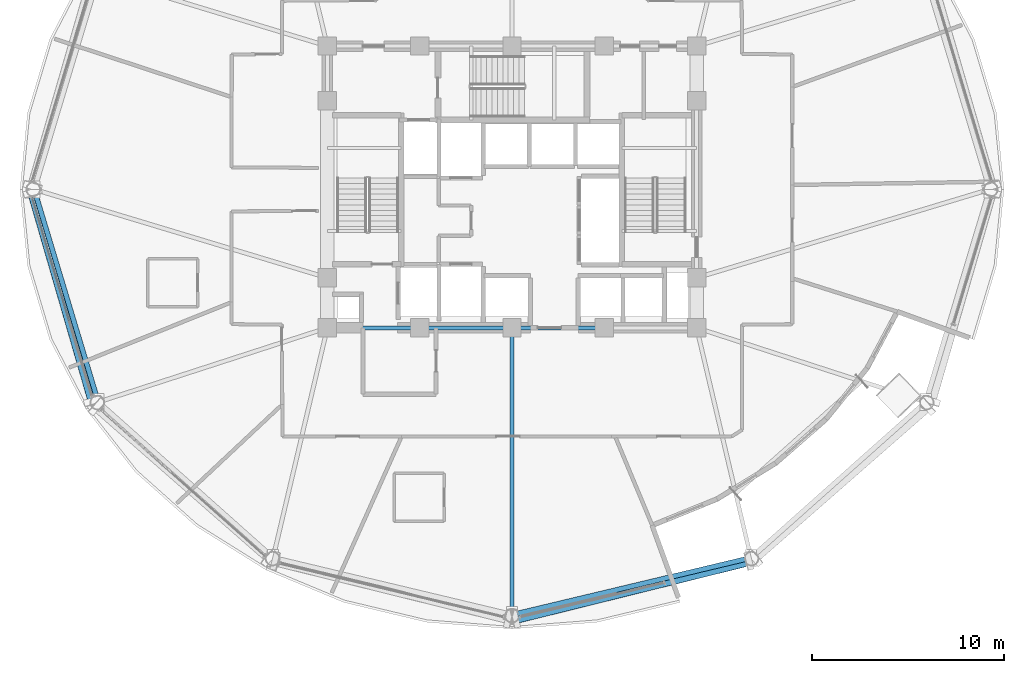
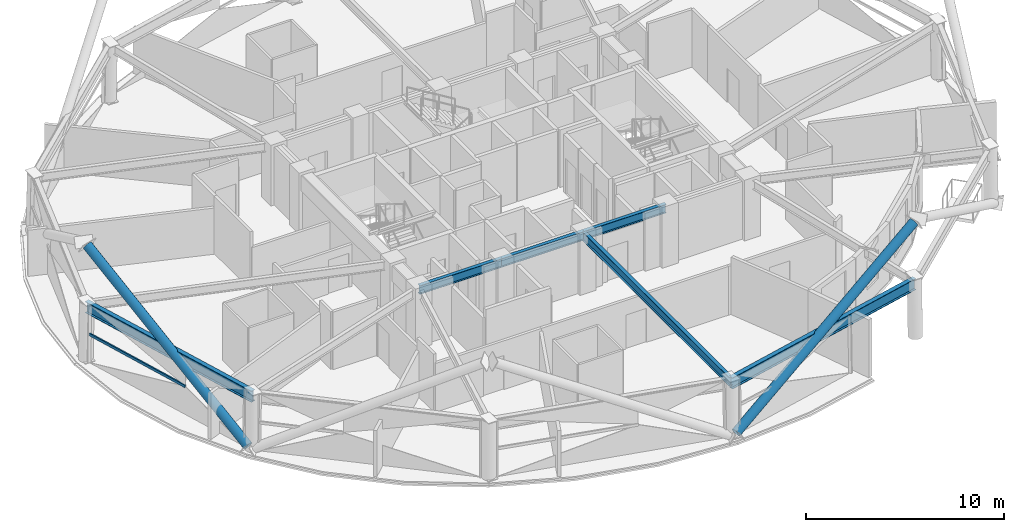
# One storey, part 3 of 17: 6 beams, 3 members, 1 element without a shape of its own.
"""IFC4 building model written with IfcOpenShell, lengths in metres."""

from ifc_helpers import new_model, si_unit, direction, frame, origin, origin_2d, place, context, subcontext, project, spatial, hollow_rectangle, hollow_circle, i_section, extrude, material, layer, layer_set, material_profile, profile_set, type_object, element, aggregate, save


model = new_model("IFC4")

# Units and contexts
model_context = context("Model", 3, precision=1e-05, world=origin(), true_north=direction((0.0, 1.0)))
body_context = subcontext(model_context, "Body", "Model", "MODEL_VIEW")
ifc_project = project(units=[si_unit("LENGTHUNIT", "METRE"), si_unit("AREAUNIT", "SQUARE_METRE"), si_unit("VOLUMEUNIT", "CUBIC_METRE"), si_unit("PLANEANGLEUNIT", "RADIAN"), si_unit("MASSUNIT", "GRAM", prefix="KILO")], contexts=[model_context])

# Site, building, storey
site_placement = place(None, origin())
site = spatial("IfcSite", under=ifc_project, at=site_placement, CompositionType="ELEMENT")
building_placement = place(site_placement, origin())
building = spatial("IfcBuilding", under=site, at=building_placement, Name="Vantalir Tower", CompositionType="ELEMENT")
storey_placement = place(building_placement, frame((0.0, 0.0, 142.199951171875)))
storey = spatial("IfcBuildingStorey", under=building, at=storey_placement, Name="L35", CompositionType="ELEMENT", Elevation=142.199951171875)

# Beams
ifc_material_1 = material(Name="Steel S355", Category="steel")
ifc_material_profile_1 = material_profile(ifc_material_1, i_section(OverallWidth=0.2109375, OverallDepth=0.5390625, WebThickness=0.01171875, FlangeThickness=0.018798828125, at=origin_2d()), Name="Steel S355")
ifc_profile_set_1 = profile_set([ifc_material_profile_1], Name="Steel S355")
beam_type_1 = type_object("IfcBeamType", Name="BM-RB-533x210", PredefinedType="BEAM", material=ifc_profile_set_1)
for number, where, z_axis, x_axis, name in (
    (1, (21.89990234375, 17.800048828125, 3.301025390625), (1.0, 0.0, 0.0), (0.0, 1.0, 0.0), "L35 Core Coupling Girder 01"),
    (2, (26.699951171875, 17.800048828125, 3.301025390625), (1.0, 0.0, 0.0), (0.0, 1.0, 0.0), "L35 Core Coupling Girder 02"),
    (3, (31.5, 17.800048828125, 3.301025390625), (1.0, 0.0, 0.0), (0.0, 1.0, 0.0), "L35 Core Coupling Girder 03"),
):
    element("IfcBeam", number, at=place(storey_placement, frame(where, z_axis=z_axis, x_axis=x_axis)), inside=storey, type_object=beam_type_1, Name=name, PredefinedType="BEAM", context=body_context, shape_type="SweptSolid", body=[
        extrude(i_section(OverallWidth=0.2109375, OverallDepth=0.5390625, WebThickness=0.01171875, FlangeThickness=0.018798828125, at=origin_2d()), origin(), (0.0, 0.0, 1.0), 4.800048828125),
    ])
beam_1_placement = place(storey_placement, frame((31.5, 2.8759765625, 3.301025390625), z_axis=(0.0, 1.0, 0.0), x_axis=(-1.0, 0.0, 0.0)))
element("IfcBeam", 4, at=beam_1_placement, inside=storey, type_object=beam_type_1, Name="L35 Radial Floor Beam 10", PredefinedType="BEAM", context=body_context, shape_type="SweptSolid", body=[
    extrude(i_section(OverallWidth=0.2109375, OverallDepth=0.5390625, WebThickness=0.01171875, FlangeThickness=0.018798828125, at=origin_2d()), origin(), (0.0, 0.0, 1.0), 14.924072265625),
])
ifc_material_2 = material(Name="Steel S460", Category="steel")
ifc_material_profile_2 = material_profile(ifc_material_2, i_section(OverallWidth=0.256103515625, OverallDepth=0.693115234375, WebThickness=0.014404296875, FlangeThickness=0.023681640625, at=origin_2d()), Name="Steel S460")
ifc_profile_set_2 = profile_set([ifc_material_profile_2], Name="Steel S460")
beam_type_2 = type_object("IfcBeamType", Name="BM-RG-686x254", PredefinedType="USERDEFINED", material=ifc_profile_set_2)
beam_2_placement = place(storey_placement, frame((6.655029296875, 25.0, 3.22412109375), z_axis=(0.288162119412, -0.957581637739, 0.0), x_axis=(0.957581637739, 0.288162119412, 0.0)))
element("IfcBeam", 5, at=beam_2_placement, inside=storey, type_object=beam_type_2, Name="L35 Circumferential Ring Girder 07", ObjectType="GIRDER", PredefinedType="USERDEFINED", context=body_context, shape_type="SweptSolid", body=[
    extrude(i_section(OverallWidth=0.256103515625, OverallDepth=0.693115234375, WebThickness=0.014404296875, FlangeThickness=0.023681640625, at=origin_2d()), origin(), (0.0, 0.0, 1.0), 11.552001953125),
])
beam_3_placement = place(storey_placement, frame((31.5, 2.8759765625, 3.22412109375), z_axis=(0.972696170028, 0.232082228561, 0.0), x_axis=(-0.232082228561, 0.972696170028, 0.0)))
element("IfcBeam", 6, at=beam_3_placement, inside=storey, type_object=beam_type_2, Name="L35 Circumferential Ring Girder 10", ObjectType="GIRDER", PredefinedType="USERDEFINED", context=body_context, shape_type="SweptSolid", body=[
    extrude(i_section(OverallWidth=0.256103515625, OverallDepth=0.693115234375, WebThickness=0.014404296875, FlangeThickness=0.023681640625, at=origin_2d()), origin(), (0.0, 0.0, 1.0), 12.771728515625),
])

# Curtain wall, member
ifc_material_3 = material(Name="Champagne-silver PVDF aluminium and double-silver Low-E glass", Category="aluminium")
ifc_layer = layer(ifc_material_3, 0.199951171875)
ifc_layer_set = layer_set([ifc_layer], Name="Champagne-silver PVDF aluminium and double-silver Low-E glass")
curtain_wall_type = type_object("IfcCurtainWallType", Name="CW-DIAMOND-Z2", PredefinedType="USERDEFINED", material=ifc_layer_set)
curtain_wall_placement = place(storey_placement, origin())
curtain_wall = element("IfcCurtainWall", 7, at=curtain_wall_placement, inside=storey, type_object=curtain_wall_type, Name="L35 Quilted Pyramid-Diamond Curtain Wall S07", ObjectType="UNITISED CURTAIN WALL", PredefinedType="USERDEFINED")
ifc_material_4 = material(Name="Champagne-silver PVDF aluminium 6063-T6", Category="aluminium")
ifc_material_profile_3 = material_profile(ifc_material_4, hollow_rectangle(XDim=0.074951171875, YDim=0.159912109375, WallThickness=0.00390625, at=origin_2d()), Name="Champagne-silver PVDF aluminium 6063-T6")
ifc_profile_set_3 = profile_set([ifc_material_profile_3], Name="Champagne-silver PVDF aluminium 6063-T6")
member_type_1 = type_object("IfcMemberType", Name="CWT-160x75", PredefinedType="USERDEFINED", material=ifc_profile_set_3)
member_1_placement = place(storey_placement, frame((6.56103515625, 24.5791015625, 1.78515625), z_axis=(0.284399072044, -0.958705986119, 0.0), x_axis=(0.958705986119, 0.284399072044, 0.0)))
member_1 = element("IfcMember", 8, at=member_1_placement, type_object=member_type_1, Name="CW-L35-S07 Pyramid Fold Ridge Transom", ObjectType="TRANSOM", PredefinedType="USERDEFINED", context=body_context, shape_type="SweptSolid", body=[
    extrude(hollow_rectangle(XDim=0.074951171875, YDim=0.159912109375, WallThickness=0.00390625, at=origin_2d()), origin(), (0.0, 0.0, 1.0), 6.687255859375),
])
aggregate(curtain_wall, [member_1])

# Members
ifc_material_profile_4 = material_profile(ifc_material_2, hollow_circle(Radius=0.260009765625, WallThickness=0.0380859375, at=origin_2d()), Name="Steel S460")
ifc_profile_set_4 = profile_set([ifc_material_profile_4], Name="Steel S460")
member_type_2 = type_object("IfcMemberType", Name="MEM-DB-520x38", PredefinedType="BRACE", material=ifc_profile_set_4)
member_2_placement = place(storey_placement, frame((9.712890625, 13.9951171875, 0.195068359375), z_axis=(-0.236875839523, 0.818232926817, 0.523817443508), x_axis=(-0.96055832564, -0.278078591486, 0.0)))
element("IfcMember", 9, at=member_2_placement, inside=storey, type_object=member_type_2, Name="L35 Perimeter S460 Diagrid Brace R22R", PredefinedType="BRACE", context=body_context, shape_type="SweptSolid", body=[
    extrude(hollow_circle(Radius=0.260009765625, WallThickness=0.0380859375, at=origin_2d()), origin(), (0.0, 0.0, 1.0), 13.229736328125),
])
member_3_placement = place(storey_placement, frame((31.68701171875, 2.676025390625, 0.18701171875), z_axis=(0.848125743532, 0.210121165766, 0.486345369933), x_axis=(-0.240477434875, 0.970654729199, 0.0)))
element("IfcMember", 10, at=member_3_placement, inside=storey, type_object=member_type_2, Name="L35 Perimeter S460 Diagrid Brace R28L", PredefinedType="BRACE", context=body_context, shape_type="SweptSolid", body=[
    extrude(hollow_circle(Radius=0.260009765625, WallThickness=0.0380859375, at=origin_2d()), origin(), (0.0, 0.0, 1.0), 14.2822265625),
])

save(model, "model.ifc")
